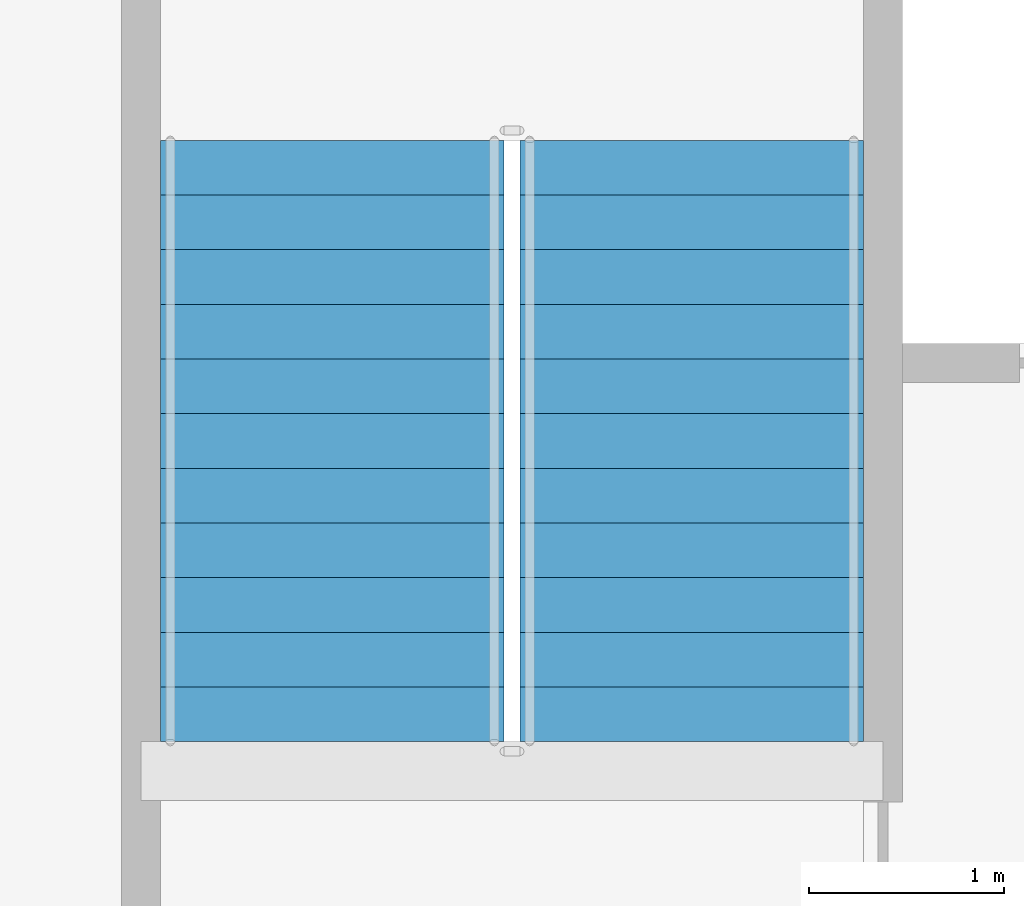
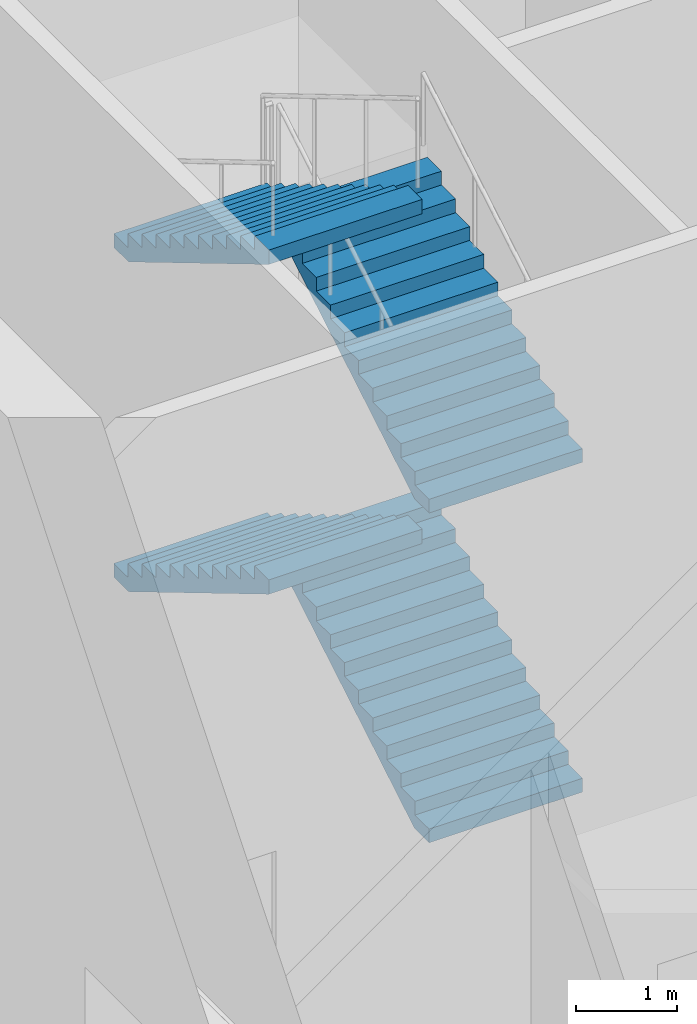
# One storey, part 52 of 63: 4 stair flights, 1 element without a shape of its own.
"""IFC4 building model written with IfcOpenShell, lengths in metres."""

from ifc_helpers import new_model, si_unit, direction, frame, origin, place, context, subcontext, project, spatial, faceted_brep, material, type_object, element, aggregate, save


model = new_model("IFC4")

# Units and contexts
model_context = context("Model", 3, precision=1e-05, world=origin(), true_north=direction((0.0, 1.0)))
body_context = subcontext(model_context, "Body", "Model", "MODEL_VIEW")
ifc_project = project(units=[si_unit("LENGTHUNIT", "METRE"), si_unit("AREAUNIT", "SQUARE_METRE"), si_unit("VOLUMEUNIT", "CUBIC_METRE"), si_unit("PLANEANGLEUNIT", "RADIAN"), si_unit("MASSUNIT", "GRAM", prefix="KILO")], contexts=[model_context])

# Site, building, storey
site_placement = place(None, origin())
site = spatial("IfcSite", under=ifc_project, at=site_placement, CompositionType="ELEMENT")
building_placement = place(site_placement, origin())
building = spatial("IfcBuilding", under=site, at=building_placement, Name="Tarsis Ring Headquarters", CompositionType="ELEMENT")
storey_placement = place(building_placement, frame((0.0, 0.0, 139.60009765625)))
storey = spatial("IfcBuildingStorey", under=building, at=storey_placement, Name="L32", CompositionType="ELEMENT", Elevation=139.60009765625)

# Stair, stair flights
ifc_material_1 = material(Name="Core stair 1760")
stair_type = type_object("IfcStairType", Name="Core stair 1760", PredefinedType="HALF_TURN_STAIR", material=ifc_material_1)
stair_placement = place(storey_placement, origin())
stair = element("IfcStair", 1, at=stair_placement, inside=storey, type_object=stair_type, Name="L32 Firefighting stair", PredefinedType="HALF_TURN_STAIR")
ifc_material_2 = material(Name="Concrete C40/50", Category="concrete")
stair_flight_type = type_object("IfcStairFlightType", Name="Core stair flight 1760", PredefinedType="STRAIGHT", material=ifc_material_2)
stair_flight_1_placement = place(storey_placement, frame((-3.580078125, 3.659912109375, 0.0), z_axis=(0.0, 0.0, 1.0), x_axis=(0.0, 1.0, 0.0)))
stair_flight_1 = element("IfcStairFlight", 2, at=stair_flight_1_placement, type_object=stair_flight_type, Name="Stair ST1 flight 1", NumberOfRisers=12, NumberOfTreads=11, PredefinedType="STRAIGHT", RiserHeight=0.166666667, TreadLength=0.28, context=body_context, shape_type="Brep", body=[
    faceted_brep([(0.0, 0.8798828125, 0.0), (0.0, 0.8798828125, 0.166748046875), (0.280029296875, 0.8798828125, 0.166748046875), (0.280029296875, 0.8798828125, 0.333251953125), (0.56005859375, 0.8798828125, 0.333251953125), (0.56005859375, 0.8798828125, 0.5), (0.840087890625, 0.8798828125, 0.5), (0.840087890625, 0.8798828125, 0.666748046875), (1.1201171875, 0.8798828125, 0.666748046875), (1.1201171875, 0.8798828125, 0.833251953125), (1.39990234375, 0.8798828125, 0.833251953125), (1.39990234375, 0.8798828125, 1.0), (1.679931640625, 0.8798828125, 1.0), (1.679931640625, 0.8798828125, 1.166748046875), (1.9599609375, 0.8798828125, 1.166748046875), (1.9599609375, 0.8798828125, 1.333251953125), (2.239990234375, 0.8798828125, 1.333251953125), (2.239990234375, 0.8798828125, 1.5), (2.52001953125, 0.8798828125, 1.5), (2.52001953125, 0.8798828125, 1.666748046875), (2.800048828125, 0.8798828125, 1.666748046875), (2.800048828125, 0.8798828125, 1.833251953125), (3.080078125, 0.8798828125, 1.833251953125), (3.080078125, 0.8798828125, 1.658935546875), (0.29296875, 0.8798828125, 0.0), (0.29296875, -0.8798828125, 0.0), (3.080078125, -0.8798828125, 1.658935546875), (3.080078125, -0.8798828125, 1.833251953125), (2.800048828125, -0.8798828125, 1.833251953125), (2.800048828125, -0.8798828125, 1.666748046875), (2.52001953125, -0.8798828125, 1.666748046875), (2.52001953125, -0.8798828125, 1.5), (2.239990234375, -0.8798828125, 1.5), (2.239990234375, -0.8798828125, 1.333251953125), (1.9599609375, -0.8798828125, 1.333251953125), (1.9599609375, -0.8798828125, 1.166748046875), (1.679931640625, -0.8798828125, 1.166748046875), (1.679931640625, -0.8798828125, 1.0), (1.39990234375, -0.8798828125, 1.0), (1.39990234375, -0.8798828125, 0.833251953125), (1.1201171875, -0.8798828125, 0.833251953125), (1.1201171875, -0.8798828125, 0.666748046875), (0.840087890625, -0.8798828125, 0.666748046875), (0.840087890625, -0.8798828125, 0.5), (0.56005859375, -0.8798828125, 0.5), (0.56005859375, -0.8798828125, 0.333251953125), (0.280029296875, -0.8798828125, 0.333251953125), (0.280029296875, -0.8798828125, 0.166748046875), (0.0, -0.8798828125, 0.166748046875), (0.0, -0.8798828125, 0.0), (0.0, -0.43994140625, 0.166748046875), (0.0, -0.43994140625, 0.0), (0.0, 0.0, 0.166748046875), (0.0, 0.0, 0.0), (0.0, 0.43994140625, 0.166748046875), (0.0, 0.43994140625, 0.0), (0.280029296875, -0.43994140625, 0.166748046875), (0.280029296875, 0.0, 0.166748046875), (0.280029296875, 0.43994140625, 0.166748046875), (0.280029296875, -0.43994140625, 0.333251953125), (0.280029296875, 0.0, 0.333251953125), (0.280029296875, 0.43994140625, 0.333251953125), (0.56005859375, -0.43994140625, 0.333251953125), (0.56005859375, 0.0, 0.333251953125), (0.56005859375, 0.43994140625, 0.333251953125), (0.56005859375, -0.43994140625, 0.5), (0.56005859375, 0.0, 0.5), (0.56005859375, 0.43994140625, 0.5), (0.840087890625, -0.43994140625, 0.5), (0.840087890625, 0.0, 0.5), (0.840087890625, 0.43994140625, 0.5), (0.840087890625, -0.43994140625, 0.666748046875), (0.840087890625, 0.0, 0.666748046875), (0.840087890625, 0.43994140625, 0.666748046875), (1.1201171875, -0.43994140625, 0.666748046875), (1.1201171875, 0.0, 0.666748046875), (1.1201171875, 0.43994140625, 0.666748046875), (1.1201171875, -0.43994140625, 0.833251953125), (1.1201171875, 0.0, 0.833251953125), (1.1201171875, 0.43994140625, 0.833251953125), (1.39990234375, -0.43994140625, 0.833251953125), (1.39990234375, 0.0, 0.833251953125), (1.39990234375, 0.43994140625, 0.833251953125), (1.39990234375, -0.43994140625, 1.0), (1.39990234375, 0.0, 1.0), (1.39990234375, 0.43994140625, 1.0), (1.679931640625, -0.43994140625, 1.0), (1.679931640625, 0.0, 1.0), (1.679931640625, 0.43994140625, 1.0), (1.679931640625, -0.43994140625, 1.166748046875), (1.679931640625, 0.0, 1.166748046875), (1.679931640625, 0.43994140625, 1.166748046875), (1.9599609375, -0.43994140625, 1.166748046875), (1.9599609375, 0.0, 1.166748046875), (1.9599609375, 0.43994140625, 1.166748046875), (1.9599609375, -0.43994140625, 1.333251953125), (1.9599609375, 0.0, 1.333251953125), (1.9599609375, 0.43994140625, 1.333251953125), (2.239990234375, -0.43994140625, 1.333251953125), (2.239990234375, 0.0, 1.333251953125), (2.239990234375, 0.43994140625, 1.333251953125), (2.239990234375, -0.43994140625, 1.5), (2.239990234375, 0.0, 1.5), (2.239990234375, 0.43994140625, 1.5), (2.52001953125, -0.43994140625, 1.5), (2.52001953125, 0.0, 1.5), (2.52001953125, 0.43994140625, 1.5), (2.52001953125, -0.43994140625, 1.666748046875), (2.52001953125, 0.0, 1.666748046875), (2.52001953125, 0.43994140625, 1.666748046875), (2.800048828125, -0.43994140625, 1.666748046875), (2.800048828125, 0.0, 1.666748046875), (2.800048828125, 0.43994140625, 1.666748046875), (2.800048828125, -0.43994140625, 1.833251953125), (2.800048828125, 0.0, 1.833251953125), (2.800048828125, 0.43994140625, 1.833251953125), (3.080078125, -0.43994140625, 1.833251953125), (3.080078125, 0.0, 1.833251953125), (3.080078125, 0.43994140625, 1.833251953125), (3.080078125, -0.43994140625, 1.658935546875), (3.080078125, 0.0, 1.658935546875), (3.080078125, 0.43994140625, 1.658935546875), (0.29296875, -0.43994140625, 0.0), (0.29296875, 0.0, 0.0), (0.29296875, 0.43994140625, 0.0)], [[[0, 1, 2, 3, 4, 5, 6, 7, 8, 9, 10, 11, 12, 13, 14, 15, 16, 17, 18, 19, 20, 21, 22, 23, 24]], [[25, 26, 27, 28, 29, 30, 31, 32, 33, 34, 35, 36, 37, 38, 39, 40, 41, 42, 43, 44, 45, 46, 47, 48, 49]], [[49, 48, 50, 51]], [[51, 50, 52, 53]], [[53, 52, 54, 55]], [[55, 54, 1, 0]], [[48, 47, 56, 50]], [[50, 56, 57, 52]], [[52, 57, 58, 54]], [[54, 58, 2, 1]], [[47, 46, 59, 56]], [[56, 59, 60, 57]], [[57, 60, 61, 58]], [[58, 61, 3, 2]], [[46, 45, 62, 59]], [[59, 62, 63, 60]], [[60, 63, 64, 61]], [[61, 64, 4, 3]], [[45, 44, 65, 62]], [[62, 65, 66, 63]], [[63, 66, 67, 64]], [[64, 67, 5, 4]], [[44, 43, 68, 65]], [[65, 68, 69, 66]], [[66, 69, 70, 67]], [[67, 70, 6, 5]], [[43, 42, 71, 68]], [[68, 71, 72, 69]], [[69, 72, 73, 70]], [[70, 73, 7, 6]], [[42, 41, 74, 71]], [[71, 74, 75, 72]], [[72, 75, 76, 73]], [[73, 76, 8, 7]], [[41, 40, 77, 74]], [[74, 77, 78, 75]], [[75, 78, 79, 76]], [[76, 79, 9, 8]], [[40, 39, 80, 77]], [[77, 80, 81, 78]], [[78, 81, 82, 79]], [[79, 82, 10, 9]], [[39, 38, 83, 80]], [[80, 83, 84, 81]], [[81, 84, 85, 82]], [[82, 85, 11, 10]], [[38, 37, 86, 83]], [[83, 86, 87, 84]], [[84, 87, 88, 85]], [[85, 88, 12, 11]], [[37, 36, 89, 86]], [[86, 89, 90, 87]], [[87, 90, 91, 88]], [[88, 91, 13, 12]], [[36, 35, 92, 89]], [[89, 92, 93, 90]], [[90, 93, 94, 91]], [[91, 94, 14, 13]], [[35, 34, 95, 92]], [[92, 95, 96, 93]], [[93, 96, 97, 94]], [[94, 97, 15, 14]], [[34, 33, 98, 95]], [[95, 98, 99, 96]], [[96, 99, 100, 97]], [[97, 100, 16, 15]], [[33, 32, 101, 98]], [[98, 101, 102, 99]], [[99, 102, 103, 100]], [[100, 103, 17, 16]], [[32, 31, 104, 101]], [[101, 104, 105, 102]], [[102, 105, 106, 103]], [[103, 106, 18, 17]], [[31, 30, 107, 104]], [[104, 107, 108, 105]], [[105, 108, 109, 106]], [[106, 109, 19, 18]], [[30, 29, 110, 107]], [[107, 110, 111, 108]], [[108, 111, 112, 109]], [[109, 112, 20, 19]], [[29, 28, 113, 110]], [[110, 113, 114, 111]], [[111, 114, 115, 112]], [[112, 115, 21, 20]], [[28, 27, 116, 113]], [[113, 116, 117, 114]], [[114, 117, 118, 115]], [[115, 118, 22, 21]], [[27, 26, 119, 116]], [[116, 119, 120, 117]], [[117, 120, 121, 118]], [[118, 121, 23, 22]], [[26, 25, 122, 119]], [[119, 122, 123, 120]], [[120, 123, 124, 121]], [[121, 124, 24, 23]], [[25, 49, 51, 122]], [[122, 51, 53, 123]], [[123, 53, 55, 124]], [[124, 55, 0, 24]]]),
])
stair_flight_2_placement = place(storey_placement, frame((-5.419921875, 6.739990234375, 2.0), z_axis=(0.0, 0.0, 1.0), x_axis=(0.0, -1.0, 0.0)))
stair_flight_2 = element("IfcStairFlight", 3, at=stair_flight_2_placement, type_object=stair_flight_type, Name="Stair ST1 flight 2", NumberOfRisers=12, NumberOfTreads=11, PredefinedType="STRAIGHT", RiserHeight=0.166666667, TreadLength=0.28, context=body_context, shape_type="Brep", body=[
    faceted_brep([(0.0, 0.8798828125, 0.0), (0.0, 0.8798828125, 0.166748046875), (0.280029296875, 0.8798828125, 0.166748046875), (0.280029296875, 0.8798828125, 0.333251953125), (0.56005859375, 0.8798828125, 0.333251953125), (0.56005859375, 0.8798828125, 0.5), (0.840087890625, 0.8798828125, 0.5), (0.840087890625, 0.8798828125, 0.666748046875), (1.1201171875, 0.8798828125, 0.666748046875), (1.1201171875, 0.8798828125, 0.833251953125), (1.39990234375, 0.8798828125, 0.833251953125), (1.39990234375, 0.8798828125, 1.0), (1.679931640625, 0.8798828125, 1.0), (1.679931640625, 0.8798828125, 1.166748046875), (1.9599609375, 0.8798828125, 1.166748046875), (1.9599609375, 0.8798828125, 1.333251953125), (2.239990234375, 0.8798828125, 1.333251953125), (2.239990234375, 0.8798828125, 1.5), (2.52001953125, 0.8798828125, 1.5), (2.52001953125, 0.8798828125, 1.666748046875), (2.800048828125, 0.8798828125, 1.666748046875), (2.800048828125, 0.8798828125, 1.833251953125), (3.080078125, 0.8798828125, 1.833251953125), (3.080078125, 0.8798828125, 1.658935546875), (0.29296875, 0.8798828125, 0.0), (0.29296875, -0.8798828125, 0.0), (3.080078125, -0.8798828125, 1.658935546875), (3.080078125, -0.8798828125, 1.833251953125), (2.800048828125, -0.8798828125, 1.833251953125), (2.800048828125, -0.8798828125, 1.666748046875), (2.52001953125, -0.8798828125, 1.666748046875), (2.52001953125, -0.8798828125, 1.5), (2.239990234375, -0.8798828125, 1.5), (2.239990234375, -0.8798828125, 1.333251953125), (1.9599609375, -0.8798828125, 1.333251953125), (1.9599609375, -0.8798828125, 1.166748046875), (1.679931640625, -0.8798828125, 1.166748046875), (1.679931640625, -0.8798828125, 1.0), (1.39990234375, -0.8798828125, 1.0), (1.39990234375, -0.8798828125, 0.833251953125), (1.1201171875, -0.8798828125, 0.833251953125), (1.1201171875, -0.8798828125, 0.666748046875), (0.840087890625, -0.8798828125, 0.666748046875), (0.840087890625, -0.8798828125, 0.5), (0.56005859375, -0.8798828125, 0.5), (0.56005859375, -0.8798828125, 0.333251953125), (0.280029296875, -0.8798828125, 0.333251953125), (0.280029296875, -0.8798828125, 0.166748046875), (0.0, -0.8798828125, 0.166748046875), (0.0, -0.8798828125, 0.0), (0.0, -0.43994140625, 0.166748046875), (0.0, -0.43994140625, 0.0), (0.0, 0.0, 0.166748046875), (0.0, 0.0, 0.0), (0.0, 0.43994140625, 0.166748046875), (0.0, 0.43994140625, 0.0), (0.280029296875, -0.43994140625, 0.166748046875), (0.280029296875, 0.0, 0.166748046875), (0.280029296875, 0.43994140625, 0.166748046875), (0.280029296875, -0.43994140625, 0.333251953125), (0.280029296875, 0.0, 0.333251953125), (0.280029296875, 0.43994140625, 0.333251953125), (0.56005859375, -0.43994140625, 0.333251953125), (0.56005859375, 0.0, 0.333251953125), (0.56005859375, 0.43994140625, 0.333251953125), (0.56005859375, -0.43994140625, 0.5), (0.56005859375, 0.0, 0.5), (0.56005859375, 0.43994140625, 0.5), (0.840087890625, -0.43994140625, 0.5), (0.840087890625, 0.0, 0.5), (0.840087890625, 0.43994140625, 0.5), (0.840087890625, -0.43994140625, 0.666748046875), (0.840087890625, 0.0, 0.666748046875), (0.840087890625, 0.43994140625, 0.666748046875), (1.1201171875, -0.43994140625, 0.666748046875), (1.1201171875, 0.0, 0.666748046875), (1.1201171875, 0.43994140625, 0.666748046875), (1.1201171875, -0.43994140625, 0.833251953125), (1.1201171875, 0.0, 0.833251953125), (1.1201171875, 0.43994140625, 0.833251953125), (1.39990234375, -0.43994140625, 0.833251953125), (1.39990234375, 0.0, 0.833251953125), (1.39990234375, 0.43994140625, 0.833251953125), (1.39990234375, -0.43994140625, 1.0), (1.39990234375, 0.0, 1.0), (1.39990234375, 0.43994140625, 1.0), (1.679931640625, -0.43994140625, 1.0), (1.679931640625, 0.0, 1.0), (1.679931640625, 0.43994140625, 1.0), (1.679931640625, -0.43994140625, 1.166748046875), (1.679931640625, 0.0, 1.166748046875), (1.679931640625, 0.43994140625, 1.166748046875), (1.9599609375, -0.43994140625, 1.166748046875), (1.9599609375, 0.0, 1.166748046875), (1.9599609375, 0.43994140625, 1.166748046875), (1.9599609375, -0.43994140625, 1.333251953125), (1.9599609375, 0.0, 1.333251953125), (1.9599609375, 0.43994140625, 1.333251953125), (2.239990234375, -0.43994140625, 1.333251953125), (2.239990234375, 0.0, 1.333251953125), (2.239990234375, 0.43994140625, 1.333251953125), (2.239990234375, -0.43994140625, 1.5), (2.239990234375, 0.0, 1.5), (2.239990234375, 0.43994140625, 1.5), (2.52001953125, -0.43994140625, 1.5), (2.52001953125, 0.0, 1.5), (2.52001953125, 0.43994140625, 1.5), (2.52001953125, -0.43994140625, 1.666748046875), (2.52001953125, 0.0, 1.666748046875), (2.52001953125, 0.43994140625, 1.666748046875), (2.800048828125, -0.43994140625, 1.666748046875), (2.800048828125, 0.0, 1.666748046875), (2.800048828125, 0.43994140625, 1.666748046875), (2.800048828125, -0.43994140625, 1.833251953125), (2.800048828125, 0.0, 1.833251953125), (2.800048828125, 0.43994140625, 1.833251953125), (3.080078125, -0.43994140625, 1.833251953125), (3.080078125, 0.0, 1.833251953125), (3.080078125, 0.43994140625, 1.833251953125), (3.080078125, -0.43994140625, 1.658935546875), (3.080078125, 0.0, 1.658935546875), (3.080078125, 0.43994140625, 1.658935546875), (0.29296875, -0.43994140625, 0.0), (0.29296875, 0.0, 0.0), (0.29296875, 0.43994140625, 0.0)], [[[0, 1, 2, 3, 4, 5, 6, 7, 8, 9, 10, 11, 12, 13, 14, 15, 16, 17, 18, 19, 20, 21, 22, 23, 24]], [[25, 26, 27, 28, 29, 30, 31, 32, 33, 34, 35, 36, 37, 38, 39, 40, 41, 42, 43, 44, 45, 46, 47, 48, 49]], [[49, 48, 50, 51]], [[51, 50, 52, 53]], [[53, 52, 54, 55]], [[55, 54, 1, 0]], [[48, 47, 56, 50]], [[50, 56, 57, 52]], [[52, 57, 58, 54]], [[54, 58, 2, 1]], [[47, 46, 59, 56]], [[56, 59, 60, 57]], [[57, 60, 61, 58]], [[58, 61, 3, 2]], [[46, 45, 62, 59]], [[59, 62, 63, 60]], [[60, 63, 64, 61]], [[61, 64, 4, 3]], [[45, 44, 65, 62]], [[62, 65, 66, 63]], [[63, 66, 67, 64]], [[64, 67, 5, 4]], [[44, 43, 68, 65]], [[65, 68, 69, 66]], [[66, 69, 70, 67]], [[67, 70, 6, 5]], [[43, 42, 71, 68]], [[68, 71, 72, 69]], [[69, 72, 73, 70]], [[70, 73, 7, 6]], [[42, 41, 74, 71]], [[71, 74, 75, 72]], [[72, 75, 76, 73]], [[73, 76, 8, 7]], [[41, 40, 77, 74]], [[74, 77, 78, 75]], [[75, 78, 79, 76]], [[76, 79, 9, 8]], [[40, 39, 80, 77]], [[77, 80, 81, 78]], [[78, 81, 82, 79]], [[79, 82, 10, 9]], [[39, 38, 83, 80]], [[80, 83, 84, 81]], [[81, 84, 85, 82]], [[82, 85, 11, 10]], [[38, 37, 86, 83]], [[83, 86, 87, 84]], [[84, 87, 88, 85]], [[85, 88, 12, 11]], [[37, 36, 89, 86]], [[86, 89, 90, 87]], [[87, 90, 91, 88]], [[88, 91, 13, 12]], [[36, 35, 92, 89]], [[89, 92, 93, 90]], [[90, 93, 94, 91]], [[91, 94, 14, 13]], [[35, 34, 95, 92]], [[92, 95, 96, 93]], [[93, 96, 97, 94]], [[94, 97, 15, 14]], [[34, 33, 98, 95]], [[95, 98, 99, 96]], [[96, 99, 100, 97]], [[97, 100, 16, 15]], [[33, 32, 101, 98]], [[98, 101, 102, 99]], [[99, 102, 103, 100]], [[100, 103, 17, 16]], [[32, 31, 104, 101]], [[101, 104, 105, 102]], [[102, 105, 106, 103]], [[103, 106, 18, 17]], [[31, 30, 107, 104]], [[104, 107, 108, 105]], [[105, 108, 109, 106]], [[106, 109, 19, 18]], [[30, 29, 110, 107]], [[107, 110, 111, 108]], [[108, 111, 112, 109]], [[109, 112, 20, 19]], [[29, 28, 113, 110]], [[110, 113, 114, 111]], [[111, 114, 115, 112]], [[112, 115, 21, 20]], [[28, 27, 116, 113]], [[113, 116, 117, 114]], [[114, 117, 118, 115]], [[115, 118, 22, 21]], [[27, 26, 119, 116]], [[116, 119, 120, 117]], [[117, 120, 121, 118]], [[118, 121, 23, 22]], [[26, 25, 122, 119]], [[119, 122, 123, 120]], [[120, 123, 124, 121]], [[121, 124, 24, 23]], [[25, 49, 51, 122]], [[122, 51, 53, 123]], [[123, 53, 55, 124]], [[124, 55, 0, 24]]]),
])
stair_flight_3_placement = place(storey_placement, frame((-3.580078125, 3.659912109375, 4.0), z_axis=(0.0, 0.0, 1.0), x_axis=(0.0, 1.0, 0.0)))
stair_flight_3 = element("IfcStairFlight", 4, at=stair_flight_3_placement, type_object=stair_flight_type, Name="Stair ST1 flight 3", NumberOfRisers=12, NumberOfTreads=11, PredefinedType="STRAIGHT", RiserHeight=0.166666667, TreadLength=0.28, context=body_context, shape_type="Brep", body=[
    faceted_brep([(0.0, 0.8798828125, 0.0), (0.0, 0.8798828125, 0.166748046875), (0.280029296875, 0.8798828125, 0.166748046875), (0.280029296875, 0.8798828125, 0.333251953125), (0.56005859375, 0.8798828125, 0.333251953125), (0.56005859375, 0.8798828125, 0.5), (0.840087890625, 0.8798828125, 0.5), (0.840087890625, 0.8798828125, 0.666748046875), (1.1201171875, 0.8798828125, 0.666748046875), (1.1201171875, 0.8798828125, 0.833251953125), (1.39990234375, 0.8798828125, 0.833251953125), (1.39990234375, 0.8798828125, 1.0), (1.679931640625, 0.8798828125, 1.0), (1.679931640625, 0.8798828125, 1.166748046875), (1.9599609375, 0.8798828125, 1.166748046875), (1.9599609375, 0.8798828125, 1.333251953125), (2.239990234375, 0.8798828125, 1.333251953125), (2.239990234375, 0.8798828125, 1.5), (2.52001953125, 0.8798828125, 1.5), (2.52001953125, 0.8798828125, 1.666748046875), (2.800048828125, 0.8798828125, 1.666748046875), (2.800048828125, 0.8798828125, 1.833251953125), (3.080078125, 0.8798828125, 1.833251953125), (3.080078125, 0.8798828125, 1.658935546875), (0.29296875, 0.8798828125, 0.0), (0.29296875, -0.8798828125, 0.0), (3.080078125, -0.8798828125, 1.658935546875), (3.080078125, -0.8798828125, 1.833251953125), (2.800048828125, -0.8798828125, 1.833251953125), (2.800048828125, -0.8798828125, 1.666748046875), (2.52001953125, -0.8798828125, 1.666748046875), (2.52001953125, -0.8798828125, 1.5), (2.239990234375, -0.8798828125, 1.5), (2.239990234375, -0.8798828125, 1.333251953125), (1.9599609375, -0.8798828125, 1.333251953125), (1.9599609375, -0.8798828125, 1.166748046875), (1.679931640625, -0.8798828125, 1.166748046875), (1.679931640625, -0.8798828125, 1.0), (1.39990234375, -0.8798828125, 1.0), (1.39990234375, -0.8798828125, 0.833251953125), (1.1201171875, -0.8798828125, 0.833251953125), (1.1201171875, -0.8798828125, 0.666748046875), (0.840087890625, -0.8798828125, 0.666748046875), (0.840087890625, -0.8798828125, 0.5), (0.56005859375, -0.8798828125, 0.5), (0.56005859375, -0.8798828125, 0.333251953125), (0.280029296875, -0.8798828125, 0.333251953125), (0.280029296875, -0.8798828125, 0.166748046875), (0.0, -0.8798828125, 0.166748046875), (0.0, -0.8798828125, 0.0), (0.0, -0.43994140625, 0.166748046875), (0.0, -0.43994140625, 0.0), (0.0, 0.0, 0.166748046875), (0.0, 0.0, 0.0), (0.0, 0.43994140625, 0.166748046875), (0.0, 0.43994140625, 0.0), (0.280029296875, -0.43994140625, 0.166748046875), (0.280029296875, 0.0, 0.166748046875), (0.280029296875, 0.43994140625, 0.166748046875), (0.280029296875, -0.43994140625, 0.333251953125), (0.280029296875, 0.0, 0.333251953125), (0.280029296875, 0.43994140625, 0.333251953125), (0.56005859375, -0.43994140625, 0.333251953125), (0.56005859375, 0.0, 0.333251953125), (0.56005859375, 0.43994140625, 0.333251953125), (0.56005859375, -0.43994140625, 0.5), (0.56005859375, 0.0, 0.5), (0.56005859375, 0.43994140625, 0.5), (0.840087890625, -0.43994140625, 0.5), (0.840087890625, 0.0, 0.5), (0.840087890625, 0.43994140625, 0.5), (0.840087890625, -0.43994140625, 0.666748046875), (0.840087890625, 0.0, 0.666748046875), (0.840087890625, 0.43994140625, 0.666748046875), (1.1201171875, -0.43994140625, 0.666748046875), (1.1201171875, 0.0, 0.666748046875), (1.1201171875, 0.43994140625, 0.666748046875), (1.1201171875, -0.43994140625, 0.833251953125), (1.1201171875, 0.0, 0.833251953125), (1.1201171875, 0.43994140625, 0.833251953125), (1.39990234375, -0.43994140625, 0.833251953125), (1.39990234375, 0.0, 0.833251953125), (1.39990234375, 0.43994140625, 0.833251953125), (1.39990234375, -0.43994140625, 1.0), (1.39990234375, 0.0, 1.0), (1.39990234375, 0.43994140625, 1.0), (1.679931640625, -0.43994140625, 1.0), (1.679931640625, 0.0, 1.0), (1.679931640625, 0.43994140625, 1.0), (1.679931640625, -0.43994140625, 1.166748046875), (1.679931640625, 0.0, 1.166748046875), (1.679931640625, 0.43994140625, 1.166748046875), (1.9599609375, -0.43994140625, 1.166748046875), (1.9599609375, 0.0, 1.166748046875), (1.9599609375, 0.43994140625, 1.166748046875), (1.9599609375, -0.43994140625, 1.333251953125), (1.9599609375, 0.0, 1.333251953125), (1.9599609375, 0.43994140625, 1.333251953125), (2.239990234375, -0.43994140625, 1.333251953125), (2.239990234375, 0.0, 1.333251953125), (2.239990234375, 0.43994140625, 1.333251953125), (2.239990234375, -0.43994140625, 1.5), (2.239990234375, 0.0, 1.5), (2.239990234375, 0.43994140625, 1.5), (2.52001953125, -0.43994140625, 1.5), (2.52001953125, 0.0, 1.5), (2.52001953125, 0.43994140625, 1.5), (2.52001953125, -0.43994140625, 1.666748046875), (2.52001953125, 0.0, 1.666748046875), (2.52001953125, 0.43994140625, 1.666748046875), (2.800048828125, -0.43994140625, 1.666748046875), (2.800048828125, 0.0, 1.666748046875), (2.800048828125, 0.43994140625, 1.666748046875), (2.800048828125, -0.43994140625, 1.833251953125), (2.800048828125, 0.0, 1.833251953125), (2.800048828125, 0.43994140625, 1.833251953125), (3.080078125, -0.43994140625, 1.833251953125), (3.080078125, 0.0, 1.833251953125), (3.080078125, 0.43994140625, 1.833251953125), (3.080078125, -0.43994140625, 1.658935546875), (3.080078125, 0.0, 1.658935546875), (3.080078125, 0.43994140625, 1.658935546875), (0.29296875, -0.43994140625, 0.0), (0.29296875, 0.0, 0.0), (0.29296875, 0.43994140625, 0.0)], [[[0, 1, 2, 3, 4, 5, 6, 7, 8, 9, 10, 11, 12, 13, 14, 15, 16, 17, 18, 19, 20, 21, 22, 23, 24]], [[25, 26, 27, 28, 29, 30, 31, 32, 33, 34, 35, 36, 37, 38, 39, 40, 41, 42, 43, 44, 45, 46, 47, 48, 49]], [[49, 48, 50, 51]], [[51, 50, 52, 53]], [[53, 52, 54, 55]], [[55, 54, 1, 0]], [[48, 47, 56, 50]], [[50, 56, 57, 52]], [[52, 57, 58, 54]], [[54, 58, 2, 1]], [[47, 46, 59, 56]], [[56, 59, 60, 57]], [[57, 60, 61, 58]], [[58, 61, 3, 2]], [[46, 45, 62, 59]], [[59, 62, 63, 60]], [[60, 63, 64, 61]], [[61, 64, 4, 3]], [[45, 44, 65, 62]], [[62, 65, 66, 63]], [[63, 66, 67, 64]], [[64, 67, 5, 4]], [[44, 43, 68, 65]], [[65, 68, 69, 66]], [[66, 69, 70, 67]], [[67, 70, 6, 5]], [[43, 42, 71, 68]], [[68, 71, 72, 69]], [[69, 72, 73, 70]], [[70, 73, 7, 6]], [[42, 41, 74, 71]], [[71, 74, 75, 72]], [[72, 75, 76, 73]], [[73, 76, 8, 7]], [[41, 40, 77, 74]], [[74, 77, 78, 75]], [[75, 78, 79, 76]], [[76, 79, 9, 8]], [[40, 39, 80, 77]], [[77, 80, 81, 78]], [[78, 81, 82, 79]], [[79, 82, 10, 9]], [[39, 38, 83, 80]], [[80, 83, 84, 81]], [[81, 84, 85, 82]], [[82, 85, 11, 10]], [[38, 37, 86, 83]], [[83, 86, 87, 84]], [[84, 87, 88, 85]], [[85, 88, 12, 11]], [[37, 36, 89, 86]], [[86, 89, 90, 87]], [[87, 90, 91, 88]], [[88, 91, 13, 12]], [[36, 35, 92, 89]], [[89, 92, 93, 90]], [[90, 93, 94, 91]], [[91, 94, 14, 13]], [[35, 34, 95, 92]], [[92, 95, 96, 93]], [[93, 96, 97, 94]], [[94, 97, 15, 14]], [[34, 33, 98, 95]], [[95, 98, 99, 96]], [[96, 99, 100, 97]], [[97, 100, 16, 15]], [[33, 32, 101, 98]], [[98, 101, 102, 99]], [[99, 102, 103, 100]], [[100, 103, 17, 16]], [[32, 31, 104, 101]], [[101, 104, 105, 102]], [[102, 105, 106, 103]], [[103, 106, 18, 17]], [[31, 30, 107, 104]], [[104, 107, 108, 105]], [[105, 108, 109, 106]], [[106, 109, 19, 18]], [[30, 29, 110, 107]], [[107, 110, 111, 108]], [[108, 111, 112, 109]], [[109, 112, 20, 19]], [[29, 28, 113, 110]], [[110, 113, 114, 111]], [[111, 114, 115, 112]], [[112, 115, 21, 20]], [[28, 27, 116, 113]], [[113, 116, 117, 114]], [[114, 117, 118, 115]], [[115, 118, 22, 21]], [[27, 26, 119, 116]], [[116, 119, 120, 117]], [[117, 120, 121, 118]], [[118, 121, 23, 22]], [[26, 25, 122, 119]], [[119, 122, 123, 120]], [[120, 123, 124, 121]], [[121, 124, 24, 23]], [[25, 49, 51, 122]], [[122, 51, 53, 123]], [[123, 53, 55, 124]], [[124, 55, 0, 24]]]),
])
stair_flight_4_placement = place(storey_placement, frame((-5.419921875, 6.739990234375, 6.0), z_axis=(0.0, 0.0, 1.0), x_axis=(0.0, -1.0, 0.0)))
stair_flight_4 = element("IfcStairFlight", 5, at=stair_flight_4_placement, type_object=stair_flight_type, Name="Stair ST1 flight 4", NumberOfRisers=12, NumberOfTreads=11, PredefinedType="STRAIGHT", RiserHeight=0.166666667, TreadLength=0.28, context=body_context, shape_type="Brep", body=[
    faceted_brep([(0.0, 0.8798828125, 0.0), (0.0, 0.8798828125, 0.166748046875), (0.280029296875, 0.8798828125, 0.166748046875), (0.280029296875, 0.8798828125, 0.333251953125), (0.56005859375, 0.8798828125, 0.333251953125), (0.56005859375, 0.8798828125, 0.5), (0.840087890625, 0.8798828125, 0.5), (0.840087890625, 0.8798828125, 0.666748046875), (1.1201171875, 0.8798828125, 0.666748046875), (1.1201171875, 0.8798828125, 0.833251953125), (1.39990234375, 0.8798828125, 0.833251953125), (1.39990234375, 0.8798828125, 1.0), (1.679931640625, 0.8798828125, 1.0), (1.679931640625, 0.8798828125, 1.166748046875), (1.9599609375, 0.8798828125, 1.166748046875), (1.9599609375, 0.8798828125, 1.333251953125), (2.239990234375, 0.8798828125, 1.333251953125), (2.239990234375, 0.8798828125, 1.5), (2.52001953125, 0.8798828125, 1.5), (2.52001953125, 0.8798828125, 1.666748046875), (2.800048828125, 0.8798828125, 1.666748046875), (2.800048828125, 0.8798828125, 1.833251953125), (3.080078125, 0.8798828125, 1.833251953125), (3.080078125, 0.8798828125, 1.658935546875), (0.29296875, 0.8798828125, 0.0), (0.29296875, -0.8798828125, 0.0), (3.080078125, -0.8798828125, 1.658935546875), (3.080078125, -0.8798828125, 1.833251953125), (2.800048828125, -0.8798828125, 1.833251953125), (2.800048828125, -0.8798828125, 1.666748046875), (2.52001953125, -0.8798828125, 1.666748046875), (2.52001953125, -0.8798828125, 1.5), (2.239990234375, -0.8798828125, 1.5), (2.239990234375, -0.8798828125, 1.333251953125), (1.9599609375, -0.8798828125, 1.333251953125), (1.9599609375, -0.8798828125, 1.166748046875), (1.679931640625, -0.8798828125, 1.166748046875), (1.679931640625, -0.8798828125, 1.0), (1.39990234375, -0.8798828125, 1.0), (1.39990234375, -0.8798828125, 0.833251953125), (1.1201171875, -0.8798828125, 0.833251953125), (1.1201171875, -0.8798828125, 0.666748046875), (0.840087890625, -0.8798828125, 0.666748046875), (0.840087890625, -0.8798828125, 0.5), (0.56005859375, -0.8798828125, 0.5), (0.56005859375, -0.8798828125, 0.333251953125), (0.280029296875, -0.8798828125, 0.333251953125), (0.280029296875, -0.8798828125, 0.166748046875), (0.0, -0.8798828125, 0.166748046875), (0.0, -0.8798828125, 0.0), (0.0, -0.43994140625, 0.166748046875), (0.0, -0.43994140625, 0.0), (0.0, 0.0, 0.166748046875), (0.0, 0.0, 0.0), (0.0, 0.43994140625, 0.166748046875), (0.0, 0.43994140625, 0.0), (0.280029296875, -0.43994140625, 0.166748046875), (0.280029296875, 0.0, 0.166748046875), (0.280029296875, 0.43994140625, 0.166748046875), (0.280029296875, -0.43994140625, 0.333251953125), (0.280029296875, 0.0, 0.333251953125), (0.280029296875, 0.43994140625, 0.333251953125), (0.56005859375, -0.43994140625, 0.333251953125), (0.56005859375, 0.0, 0.333251953125), (0.56005859375, 0.43994140625, 0.333251953125), (0.56005859375, -0.43994140625, 0.5), (0.56005859375, 0.0, 0.5), (0.56005859375, 0.43994140625, 0.5), (0.840087890625, -0.43994140625, 0.5), (0.840087890625, 0.0, 0.5), (0.840087890625, 0.43994140625, 0.5), (0.840087890625, -0.43994140625, 0.666748046875), (0.840087890625, 0.0, 0.666748046875), (0.840087890625, 0.43994140625, 0.666748046875), (1.1201171875, -0.43994140625, 0.666748046875), (1.1201171875, 0.0, 0.666748046875), (1.1201171875, 0.43994140625, 0.666748046875), (1.1201171875, -0.43994140625, 0.833251953125), (1.1201171875, 0.0, 0.833251953125), (1.1201171875, 0.43994140625, 0.833251953125), (1.39990234375, -0.43994140625, 0.833251953125), (1.39990234375, 0.0, 0.833251953125), (1.39990234375, 0.43994140625, 0.833251953125), (1.39990234375, -0.43994140625, 1.0), (1.39990234375, 0.0, 1.0), (1.39990234375, 0.43994140625, 1.0), (1.679931640625, -0.43994140625, 1.0), (1.679931640625, 0.0, 1.0), (1.679931640625, 0.43994140625, 1.0), (1.679931640625, -0.43994140625, 1.166748046875), (1.679931640625, 0.0, 1.166748046875), (1.679931640625, 0.43994140625, 1.166748046875), (1.9599609375, -0.43994140625, 1.166748046875), (1.9599609375, 0.0, 1.166748046875), (1.9599609375, 0.43994140625, 1.166748046875), (1.9599609375, -0.43994140625, 1.333251953125), (1.9599609375, 0.0, 1.333251953125), (1.9599609375, 0.43994140625, 1.333251953125), (2.239990234375, -0.43994140625, 1.333251953125), (2.239990234375, 0.0, 1.333251953125), (2.239990234375, 0.43994140625, 1.333251953125), (2.239990234375, -0.43994140625, 1.5), (2.239990234375, 0.0, 1.5), (2.239990234375, 0.43994140625, 1.5), (2.52001953125, -0.43994140625, 1.5), (2.52001953125, 0.0, 1.5), (2.52001953125, 0.43994140625, 1.5), (2.52001953125, -0.43994140625, 1.666748046875), (2.52001953125, 0.0, 1.666748046875), (2.52001953125, 0.43994140625, 1.666748046875), (2.800048828125, -0.43994140625, 1.666748046875), (2.800048828125, 0.0, 1.666748046875), (2.800048828125, 0.43994140625, 1.666748046875), (2.800048828125, -0.43994140625, 1.833251953125), (2.800048828125, 0.0, 1.833251953125), (2.800048828125, 0.43994140625, 1.833251953125), (3.080078125, -0.43994140625, 1.833251953125), (3.080078125, 0.0, 1.833251953125), (3.080078125, 0.43994140625, 1.833251953125), (3.080078125, -0.43994140625, 1.658935546875), (3.080078125, 0.0, 1.658935546875), (3.080078125, 0.43994140625, 1.658935546875), (0.29296875, -0.43994140625, 0.0), (0.29296875, 0.0, 0.0), (0.29296875, 0.43994140625, 0.0)], [[[0, 1, 2, 3, 4, 5, 6, 7, 8, 9, 10, 11, 12, 13, 14, 15, 16, 17, 18, 19, 20, 21, 22, 23, 24]], [[25, 26, 27, 28, 29, 30, 31, 32, 33, 34, 35, 36, 37, 38, 39, 40, 41, 42, 43, 44, 45, 46, 47, 48, 49]], [[49, 48, 50, 51]], [[51, 50, 52, 53]], [[53, 52, 54, 55]], [[55, 54, 1, 0]], [[48, 47, 56, 50]], [[50, 56, 57, 52]], [[52, 57, 58, 54]], [[54, 58, 2, 1]], [[47, 46, 59, 56]], [[56, 59, 60, 57]], [[57, 60, 61, 58]], [[58, 61, 3, 2]], [[46, 45, 62, 59]], [[59, 62, 63, 60]], [[60, 63, 64, 61]], [[61, 64, 4, 3]], [[45, 44, 65, 62]], [[62, 65, 66, 63]], [[63, 66, 67, 64]], [[64, 67, 5, 4]], [[44, 43, 68, 65]], [[65, 68, 69, 66]], [[66, 69, 70, 67]], [[67, 70, 6, 5]], [[43, 42, 71, 68]], [[68, 71, 72, 69]], [[69, 72, 73, 70]], [[70, 73, 7, 6]], [[42, 41, 74, 71]], [[71, 74, 75, 72]], [[72, 75, 76, 73]], [[73, 76, 8, 7]], [[41, 40, 77, 74]], [[74, 77, 78, 75]], [[75, 78, 79, 76]], [[76, 79, 9, 8]], [[40, 39, 80, 77]], [[77, 80, 81, 78]], [[78, 81, 82, 79]], [[79, 82, 10, 9]], [[39, 38, 83, 80]], [[80, 83, 84, 81]], [[81, 84, 85, 82]], [[82, 85, 11, 10]], [[38, 37, 86, 83]], [[83, 86, 87, 84]], [[84, 87, 88, 85]], [[85, 88, 12, 11]], [[37, 36, 89, 86]], [[86, 89, 90, 87]], [[87, 90, 91, 88]], [[88, 91, 13, 12]], [[36, 35, 92, 89]], [[89, 92, 93, 90]], [[90, 93, 94, 91]], [[91, 94, 14, 13]], [[35, 34, 95, 92]], [[92, 95, 96, 93]], [[93, 96, 97, 94]], [[94, 97, 15, 14]], [[34, 33, 98, 95]], [[95, 98, 99, 96]], [[96, 99, 100, 97]], [[97, 100, 16, 15]], [[33, 32, 101, 98]], [[98, 101, 102, 99]], [[99, 102, 103, 100]], [[100, 103, 17, 16]], [[32, 31, 104, 101]], [[101, 104, 105, 102]], [[102, 105, 106, 103]], [[103, 106, 18, 17]], [[31, 30, 107, 104]], [[104, 107, 108, 105]], [[105, 108, 109, 106]], [[106, 109, 19, 18]], [[30, 29, 110, 107]], [[107, 110, 111, 108]], [[108, 111, 112, 109]], [[109, 112, 20, 19]], [[29, 28, 113, 110]], [[110, 113, 114, 111]], [[111, 114, 115, 112]], [[112, 115, 21, 20]], [[28, 27, 116, 113]], [[113, 116, 117, 114]], [[114, 117, 118, 115]], [[115, 118, 22, 21]], [[27, 26, 119, 116]], [[116, 119, 120, 117]], [[117, 120, 121, 118]], [[118, 121, 23, 22]], [[26, 25, 122, 119]], [[119, 122, 123, 120]], [[120, 123, 124, 121]], [[121, 124, 24, 23]], [[25, 49, 51, 122]], [[122, 51, 53, 123]], [[123, 53, 55, 124]], [[124, 55, 0, 24]]]),
])
aggregate(stair, [stair_flight_1, stair_flight_2, stair_flight_3, stair_flight_4])

save(model, "model.ifc")
